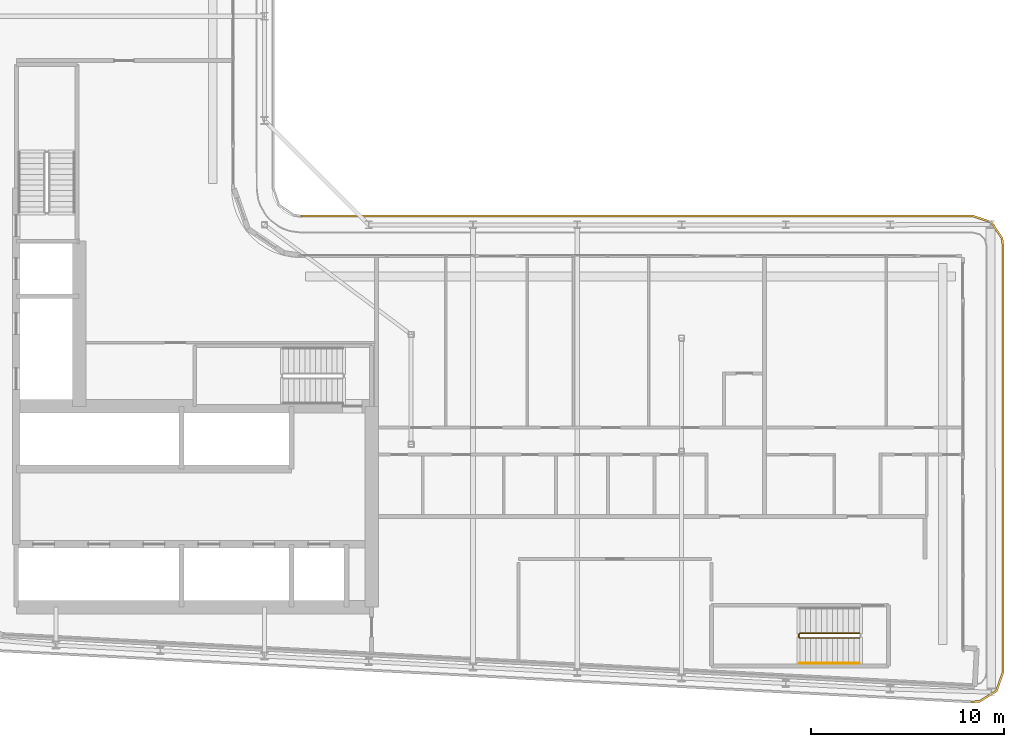
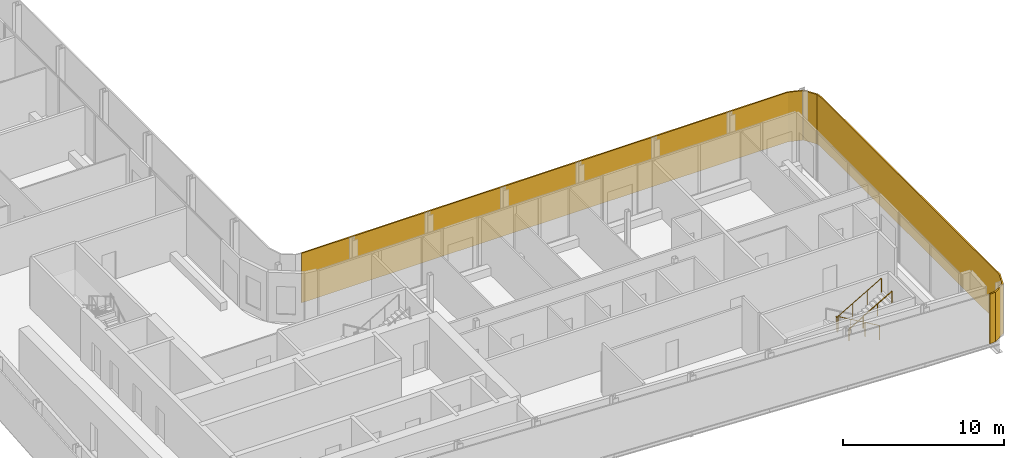
# One storey, part 17 of 21: 2 railings, 1 shading device.
"""IFC4 building model written with IfcOpenShell, lengths in metres."""

from ifc_helpers import new_model, si_unit, direction, frame, origin, origin_2d, place, context, subcontext, project, spatial, polyline, circle, outline, extrude, material, layer, layer_set, type_object, element, save


model = new_model("IFC4")

# Units and contexts
model_context = context("Model", 3, precision=1e-05, world=origin(), true_north=direction((0.0, 1.0)))
body_context = subcontext(model_context, "Body", "Model", "MODEL_VIEW")
ifc_project = project(units=[si_unit("LENGTHUNIT", "METRE"), si_unit("AREAUNIT", "SQUARE_METRE"), si_unit("VOLUMEUNIT", "CUBIC_METRE"), si_unit("PLANEANGLEUNIT", "RADIAN"), si_unit("MASSUNIT", "GRAM", prefix="KILO")], contexts=[model_context])

# Site, building, storey
site_placement = place(None, origin())
site = spatial("IfcSite", under=ifc_project, at=site_placement, CompositionType="ELEMENT")
building_placement = place(site_placement, origin())
building = spatial("IfcBuilding", under=site, at=building_placement, Name="Kheshtan School and Residences Tower", CompositionType="ELEMENT")
storey_placement = place(building_placement, frame((0.0, 0.0, 227.89990234375)))
storey = spatial("IfcBuildingStorey", under=building, at=storey_placement, Name="L53", CompositionType="ELEMENT", Elevation=227.89990234375)

# Shading device
ifc_material_1 = material(Name="Terracotta lattice, extruded ceramic", Category="masonry")
ifc_layer = layer(ifc_material_1, 0.10009765625)
ifc_layer_set = layer_set([ifc_layer], Name="Loggia screen, terracotta lattice")
shading_device_type = type_object("IfcShadingDeviceType", Name="Loggia screen, terracotta lattice", PredefinedType="USERDEFINED", material=ifc_layer_set)
shading_device_placement = place(storey_placement, origin())
element("IfcShadingDevice", 1, at=shading_device_placement, inside=storey, type_object=shading_device_type, Name="Screen L53 2", ObjectType="SCREEN", PredefinedType="USERDEFINED", context=body_context, shape_type="SweptSolid", body=[
    extrude(outline(polyline([(49.5, 46.0), (84.300048828125, 46.0), (85.212890625, 45.68994140625), (85.7490234375, 44.887939453125), (85.800048828125, 44.5), (85.800048828125, 22.43408203125), (85.469970703125, 21.4951171875), (84.6240234375, 20.968994140625), (84.220947265625, 20.93603515625), (84.22900390625, 20.8359375), (84.656005859375, 20.87109375), (85.552978515625, 21.428955078125), (85.89990234375, 22.4169921875), (85.89990234375, 44.507080078125), (85.844970703125, 44.924072265625), (85.277099609375, 45.77392578125), (84.31689453125, 46.10009765625), (49.5, 46.10009765625), (49.5, 46.0)])), origin(), (0.0, 0.0, 1.0), 3.75),
])

# Railings
ifc_material_2 = material(Name="Stainless steel balustrade", Category="steel")
railing_type_1 = type_object("IfcRailingType", Name="Stair guard 1100", PredefinedType="GUARDRAIL", material=ifc_material_2)
railing_1_placement = place(storey_placement, frame((78.409912109375, 24.449951171875, 0.16259765625)))
element("IfcRailing", 2, at=railing_1_placement, inside=storey, type_object=railing_type_1, Name="L53 ST5 stair guard 1", PredefinedType="GUARDRAIL", context=body_context, shape_type="SweptSolid", body=[
    extrude(circle(Radius=0.02392578125, at=origin_2d()), frame((0.0, 0.0, 1.076171875), z_axis=(-0.864873446163, 0.0, 0.501989962173), x_axis=(0.0, -1.0, 0.0)), (0.0, 0.0, 1.0), 3.56103515625),
    extrude(circle(Radius=0.02392578125, at=origin_2d()), frame((-3.079833984375, 0.0, 2.86376953125), z_axis=(-0.707106781187, -0.707106781187, 0.0), x_axis=(0.707106781187, -0.707106781187, 0.0)), (0.0, 0.0, 1.0), 0.07080078125),
    extrude(circle(Radius=0.02392578125, at=origin_2d()), frame((-3.1298828125, -0.050048828125, 2.86376953125), z_axis=(0.0, -1.0, 0.0), x_axis=(1.0, 0.0, 0.0)), (0.0, 0.0, 1.0), 0.14990234375),
    extrude(circle(Radius=0.02392578125, at=origin_2d()), frame((-3.1298828125, -0.199951171875, 2.86376953125), z_axis=(0.282583949758, -0.282583949758, 0.916674763849), x_axis=(0.707106781187, 0.707106781187, 0.0)), (0.0, 0.0, 1.0), 0.177001953125),
    extrude(circle(Radius=0.02392578125, at=origin_2d()), frame((-3.079833984375, -0.25, 3.02587890625), z_axis=(0.864873446163, 0.0, 0.501989962173), x_axis=(0.0, 1.0, 0.0)), (0.0, 0.0, 1.0), 3.56103515625),
    extrude(circle(Radius=0.02099609375, at=origin_2d()), origin(), (0.0, 0.0, 1.0), 1.052001953125),
    extrude(circle(Radius=0.02099609375, at=origin_2d()), frame((-1.026611328125, 0.0, 0.595947265625)), (0.0, 0.0, 1.0), 1.052001953125),
    extrude(circle(Radius=0.02099609375, at=origin_2d()), frame((-2.05322265625, 0.0, 1.191650390625)), (0.0, 0.0, 1.0), 1.052001953125),
    extrude(circle(Radius=0.02099609375, at=origin_2d()), frame((-3.079833984375, 0.0, 1.78759765625)), (0.0, 0.0, 1.0), 1.052001953125),
    extrude(circle(Radius=0.02099609375, at=origin_2d()), frame((-3.1298828125, -0.050048828125, 1.78759765625)), (0.0, 0.0, 1.0), 1.052001953125),
    extrude(circle(Radius=0.02099609375, at=origin_2d()), frame((-3.1298828125, -0.199951171875, 1.78759765625)), (0.0, 0.0, 1.0), 1.052001953125),
    extrude(circle(Radius=0.02099609375, at=origin_2d()), frame((-3.079833984375, -0.25, 1.949951171875)), (0.0, 0.0, 1.0), 1.052001953125),
    extrude(circle(Radius=0.02099609375, at=origin_2d()), frame((-2.05322265625, -0.25, 2.5458984375)), (0.0, 0.0, 1.0), 1.052001953125),
    extrude(circle(Radius=0.02099609375, at=origin_2d()), frame((-1.026611328125, -0.25, 3.1416015625)), (0.0, 0.0, 1.0), 1.052001953125),
    extrude(circle(Radius=0.02099609375, at=origin_2d()), frame((0.0, -0.25, 3.737548828125)), (0.0, 0.0, 1.0), 1.052001953125),
])
ifc_material_3 = material(Name="Stainless steel handrail", Category="steel")
railing_type_2 = type_object("IfcRailingType", Name="Stair handrail 900", PredefinedType="HANDRAIL", material=ifc_material_3)
railing_2_placement = place(storey_placement, frame((75.330078125, 22.89990234375, 2.112548828125)))
element("IfcRailing", 3, at=railing_2_placement, inside=storey, type_object=railing_type_2, Name="L53 ST5 stair handrail 2", PredefinedType="HANDRAIL", context=body_context, shape_type="SweptSolid", body=[
    extrude(circle(Radius=0.02392578125, at=origin_2d()), frame((0.0, 0.0, 0.8759765625), z_axis=(0.864873446163, 0.0, 0.501989962173), x_axis=(0.0, 1.0, 0.0)), (0.0, 0.0, 1.0), 3.56103515625),
    extrude(circle(Radius=0.02099609375, at=origin_2d()), origin(), (0.0, 0.0, 1.0), 0.851806640625),
    extrude(circle(Radius=0.02099609375, at=origin_2d()), frame((1.026611328125, 0.0, 0.595947265625)), (0.0, 0.0, 1.0), 0.851806640625),
    extrude(circle(Radius=0.02099609375, at=origin_2d()), frame((2.05322265625, 0.0, 1.191650390625)), (0.0, 0.0, 1.0), 0.851806640625),
    extrude(circle(Radius=0.02099609375, at=origin_2d()), frame((3.079833984375, 0.0, 1.78759765625)), (0.0, 0.0, 1.0), 0.851806640625),
])

save(model, "model.ifc")
